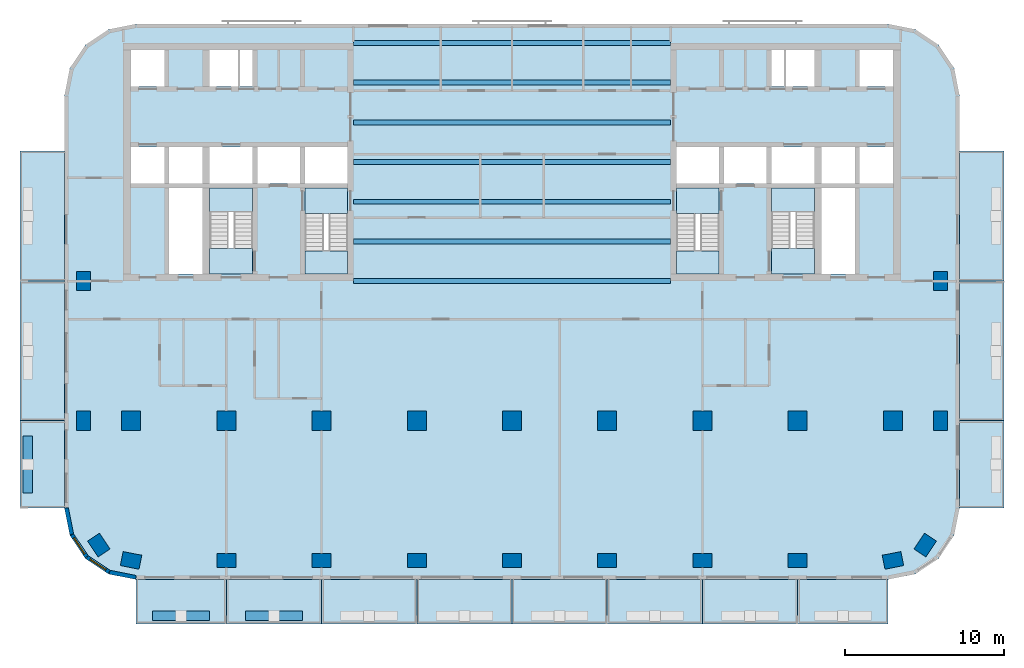
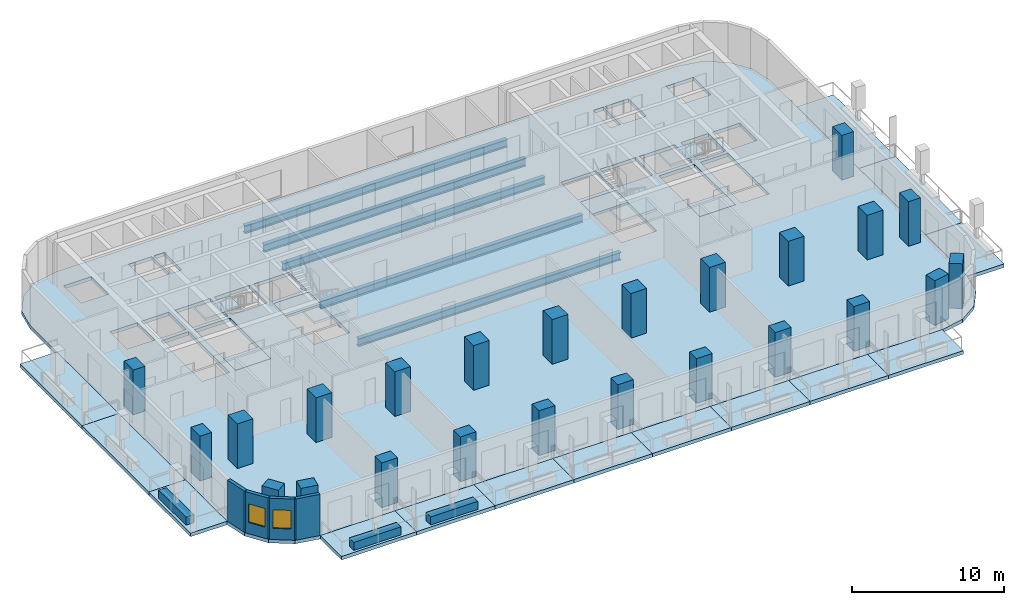
# One storey, part 1 of 11: 24 columns, 23 slabs, 7 beams, 7 walls, 2 windows, 2 openings, 4 elements without a shape of their own.
"""IFC4 building model written with IfcOpenShell, lengths in metres."""

import ifcopenshell
import ifcopenshell.guid

model = None  # the IFC model being written
_history = None  # IfcOwnerHistory: only IFC2X3 demands one
_inside = {}  # id of a spatial element -> (the spatial element, [elements in it])
_under = {}  # id of a project, library or spatial element -> (it, [spatial elements below it])
_declared = {}  # id of a project -> (the project, [libraries it declares])
_typed = {}  # id of a type object -> (the type object, [elements of that type])
_made_of = {}  # id of a material, layer set ... -> (it, [elements and type objects made of it])


def new_model(schema):
    """Start an empty IFC model of exactly this schema.

    Asked for "IFC4X3", IfcOpenShell would pick the latest addendum, in which some entities
    have other attributes; the version numbers below select the first issue.
    IFC2X3 requires an IfcOwnerHistory on every rooted entity: one is made here for all.
    """
    global model, _history
    if schema == "IFC4X3":
        model = ifcopenshell.file(schema_version=(4, 3, 0, 0))
    else:
        model = ifcopenshell.file(schema=schema)
    _inside.clear()
    _under.clear()
    _declared.clear()
    _typed.clear()
    _made_of.clear()
    _history = None
    if model.schema == "IFC2X3":
        org = make("IfcOrganization", Name="unknown")
        user = make(
            "IfcPersonAndOrganization",
            ThePerson=make("IfcPerson", FamilyName="unknown"),
            TheOrganization=org,
        )
        app = make(
            "IfcApplication",
            ApplicationDeveloper=org,
            Version="unknown",
            ApplicationFullName="unknown",
            ApplicationIdentifier="unknown",
        )
        _history = make(
            "IfcOwnerHistory",
            OwningUser=user,
            OwningApplication=app,
            ChangeAction="ADDED",
            CreationDate=0,
        )
    return model


def make(cls, **values):
    """One entity of the class cls with the attributes given. An attribute that is None is left unset."""
    return model.create_entity(
        cls, **{name: value for name, value in values.items() if value is not None}
    )


def rooted(cls, **values):
    """An entity with a GlobalId (a new one), such as an element, a storey or a relation."""
    return make(cls, GlobalId=ifcopenshell.guid.new(), OwnerHistory=_history, **values)


def si_unit(unit_type, name, prefix=None):
    """IfcSIUnit, for example si_unit("LENGTHUNIT", "METRE", prefix="MILLI")."""
    return make("IfcSIUnit", UnitType=unit_type, Prefix=prefix, Name=name)


def assignment(units):
    """IfcUnitAssignment: the units of a project."""
    return None if units is None else make("IfcUnitAssignment", Units=units)


def point(xyz):
    """IfcCartesianPoint."""
    return None if xyz is None else make("IfcCartesianPoint", Coordinates=xyz)


def direction(xyz):
    """IfcDirection."""
    return None if xyz is None else make("IfcDirection", DirectionRatios=xyz)


def frame(location, z_axis=None, x_axis=None):
    """IfcAxis2Placement3D, a coordinate frame: its origin and axes. An axis left out is left unset."""
    return make(
        "IfcAxis2Placement3D",
        Location=point(location),
        Axis=direction(z_axis),
        RefDirection=direction(x_axis),
    )


def frame_2d(location, x_axis=None):
    """IfcAxis2Placement2D, a coordinate frame in the plane: its origin and x axis."""
    return make(
        "IfcAxis2Placement2D", Location=point(location), RefDirection=direction(x_axis)
    )


def origin():
    """The frame at (0, 0, 0) with its axes left unset."""
    return frame((0.0, 0.0, 0.0))


def origin_2d():
    """The frame at (0, 0) in the plane with its x axis left unset."""
    return frame_2d((0.0, 0.0))


def place(relative_to, where):
    """IfcLocalPlacement: puts the frame where relative to a parent placement (None: the world)."""
    return make(
        "IfcLocalPlacement", PlacementRelTo=relative_to, RelativePlacement=where
    )


def context(
    kind, dimensions, precision=None, world=None, true_north=None, identifier=None
):
    """IfcGeometricRepresentationContext, for example the 3D "Model" context."""
    return make(
        "IfcGeometricRepresentationContext",
        ContextIdentifier=identifier,
        ContextType=kind,
        CoordinateSpaceDimension=dimensions,
        Precision=precision,
        WorldCoordinateSystem=world,
        TrueNorth=true_north,
    )


def subcontext(parent, identifier, kind, view, scale=None):
    """IfcGeometricRepresentationSubContext, for example "Body" below "Model"."""
    return make(
        "IfcGeometricRepresentationSubContext",
        ContextIdentifier=identifier,
        ContextType=kind,
        ParentContext=parent,
        TargetScale=scale,
        TargetView=view,
    )


def project(units=None, contexts=None):
    """IfcProject with its units and contexts."""
    return rooted(
        "IfcProject",
        Name="project",
        RepresentationContexts=contexts,
        UnitsInContext=assignment(units),
    )


def spatial(cls, under=None, at=None, **own):
    """A site, building, storey or space (cls), placed at a placement, below another one or the project."""
    s = rooted(cls, ObjectPlacement=at, **own)
    if under is not None:
        _under.setdefault(under.id(), (under, []))[1].append(s)
    return s


def polyline(points):
    """IfcPolyline through the points."""
    return make("IfcPolyline", Points=[point(p) for p in points])


def profile(cls, at=None, kind="AREA", **sizes):
    """A parametric profile (cls). Its sizes go by their IFC names, for example OverallWidth=200.0."""
    return make(cls, ProfileType=kind, Position=at, **sizes)


def rectangle(**sizes):
    """IfcRectangleProfileDef."""
    return profile("IfcRectangleProfileDef", **sizes)


def i_section(**sizes):
    """IfcIShapeProfileDef."""
    return profile("IfcIShapeProfileDef", **sizes)


def outline(outer, holes=None, kind="AREA"):
    """IfcArbitraryClosedProfileDef: a profile drawn as a closed curve; with holes, ...WithVoids."""
    if holes is None:
        return make("IfcArbitraryClosedProfileDef", ProfileType=kind, OuterCurve=outer)
    return make(
        "IfcArbitraryProfileDefWithVoids",
        ProfileType=kind,
        OuterCurve=outer,
        InnerCurves=holes,
    )


def extrude(swept, where, along, depth):
    """IfcExtrudedAreaSolid: the profile swept, set in the frame where, extruded along a direction by depth."""
    return make(
        "IfcExtrudedAreaSolid",
        SweptArea=swept,
        Position=where,
        ExtrudedDirection=direction(along),
        Depth=depth,
    )


def shape(context_of_items, identifier, shape_type, items):
    """IfcShapeRepresentation: the items that make up one representation, for example the "Body"."""
    return make(
        "IfcShapeRepresentation",
        ContextOfItems=context_of_items,
        RepresentationIdentifier=identifier,
        RepresentationType=shape_type,
        Items=items,
    )


def material(Name=None, Category=None):
    """IfcMaterial."""
    return make("IfcMaterial", Name=Name, Category=Category)


def layer(
    of_material, thickness, ventilated=None, Name=None, Category=None, Priority=None
):
    """IfcMaterialLayer: one layer of a wall or slab, of a material (None: an air gap)."""
    return make(
        "IfcMaterialLayer",
        Material=of_material,
        LayerThickness=thickness,
        IsVentilated=ventilated,
        Name=Name,
        Category=Category,
        Priority=Priority,
    )


def layer_set(layers, Name=None):
    """IfcMaterialLayerSet."""
    return make("IfcMaterialLayerSet", MaterialLayers=layers, LayerSetName=Name)


def material_profile(
    of_material, cross_section, Name=None, Category=None, Priority=None
):
    """IfcMaterialProfile: a cross section and its material."""
    return make(
        "IfcMaterialProfile",
        Name=Name,
        Material=of_material,
        Profile=cross_section,
        Priority=Priority,
        Category=Category,
    )


def profile_set(profiles, Name=None, composite=None):
    """IfcMaterialProfileSet."""
    return make(
        "IfcMaterialProfileSet",
        Name=Name,
        MaterialProfiles=profiles,
        CompositeProfile=composite,
    )


def made_of(thing, what):
    """Note that an element or type object is made of a material, layer set ...; save() writes the relation."""
    if what is not None:
        _made_of.setdefault(what.id(), (what, []))[1].append(thing)
    return thing


def type_object(cls, material=None, **own):
    """A type object (cls), such as IfcWallType, which elements share."""
    return made_of(rooted(cls, **own), material)


def element(
    cls,
    number,
    at=None,
    inside=None,
    cuts=None,
    type_object=None,
    material=None,
    context=None,
    identifier="Body",
    shape_type=None,
    held_by="IfcProductDefinitionShape",
    body=None,
    shapes=None,
    **own,
):
    """One element of the class cls, such as IfcWall. Its Tag is "e" and its number.

    at: its placement. inside: the storey or other place that contains it. cuts: it is an
    opening in that element (IfcRelVoidsElement). A single representation is given by context,
    identifier, shape_type and body (its items); several are given by shapes. held_by: the class
    of the entity that holds the representations. save() writes the other relations.
    """
    e = rooted(cls, Tag="e%d" % number, ObjectPlacement=at, **own)
    if body is not None:
        shapes = [shape(context, identifier, shape_type, body)]
    if shapes is not None:
        e.Representation = make(held_by, Representations=shapes)
    if inside is not None:
        _inside.setdefault(inside.id(), (inside, []))[1].append(e)
    if cuts is not None:
        rooted(
            "IfcRelVoidsElement", RelatingBuildingElement=cuts, RelatedOpeningElement=e
        )
    if type_object is not None:
        _typed.setdefault(type_object.id(), (type_object, []))[1].append(e)
    return made_of(e, material)


def fill(opening, filler):
    """IfcRelFillsElement: the door or window that sits in an opening."""
    return rooted(
        "IfcRelFillsElement",
        RelatingOpeningElement=opening,
        RelatedBuildingElement=filler,
    )


def aggregate(whole, parts):
    """IfcRelAggregates: a whole, such as a stair, and the parts it consists of."""
    return rooted("IfcRelAggregates", RelatingObject=whole, RelatedObjects=parts)


def save(model, path):
    """Write the relations noted so far, then the file.

    IfcRelAggregates (storeys below a building ...), IfcRelContainedInSpatialStructure (elements
    in a storey), IfcRelDefinesByType, IfcRelAssociatesMaterial and IfcRelDeclares: one each for
    every whole, place, type object, material and project.
    """
    for whole, parts in _under.values():
        aggregate(whole, parts)
    for where, things in _inside.values():
        rooted(
            "IfcRelContainedInSpatialStructure",
            RelatedElements=things,
            RelatingStructure=where,
        )
    for kind, things in _typed.values():
        rooted("IfcRelDefinesByType", RelatedObjects=things, RelatingType=kind)
    for what, things in _made_of.values():
        rooted("IfcRelAssociatesMaterial", RelatedObjects=things, RelatingMaterial=what)
    for by, libraries in _declared.values():
        rooted("IfcRelDeclares", RelatingContext=by, RelatedDefinitions=libraries)
    model.write(path)


model = new_model("IFC4")

# Units and contexts
model_context = context("Model", 3, precision=1e-05, world=origin(), true_north=direction((0.0, 1.0)))
body_context = subcontext(model_context, "Body", "Model", "MODEL_VIEW")
ifc_project = project(units=[si_unit("LENGTHUNIT", "METRE"), si_unit("AREAUNIT", "SQUARE_METRE"), si_unit("VOLUMEUNIT", "CUBIC_METRE"), si_unit("PLANEANGLEUNIT", "RADIAN"), si_unit("MASSUNIT", "GRAM", prefix="KILO")], contexts=[model_context])

# Site, building, storey
site_placement = place(None, origin())
site = spatial("IfcSite", under=ifc_project, at=site_placement, CompositionType="ELEMENT")
building_placement = place(site_placement, origin())
building = spatial("IfcBuilding", under=site, at=building_placement, Name="Torana Hotel and Residences", CompositionType="ELEMENT")
storey_placement = place(building_placement, frame((0.0, 0.0, 170.39990234375)))
storey = spatial("IfcBuildingStorey", under=building, at=storey_placement, Name="L44", CompositionType="ELEMENT", Elevation=170.39990234375)

# Columns
ifc_material_1 = material(Name="Concrete C70/85", Category="concrete")
ifc_material_profile_1 = material_profile(ifc_material_1, rectangle(XDim=1.199951171875, YDim=1.199951171875, at=origin_2d()), Name="RC 1200x1200")
ifc_profile_set_1 = profile_set([ifc_material_profile_1], Name="Concrete C70/85")
column_type_1 = type_object("IfcColumnType", Name="COLUMN RC 1200x1200 C70/85", PredefinedType="COLUMN", material=ifc_profile_set_1)
for number, where, z_axis, x_axis, name in (
    (1, (-24.0, -23.800048828125, 0.0), (0.0, 0.0, 1.0), (1.0, 0.0, 0.0), "Column L44"),
    (2, (-18.0, -23.800048828125, 0.0), (0.0, 0.0, 1.0), (1.0, 0.0, 0.0), "Column L44"),
    (3, (-12.0, -23.800048828125, 0.0), (0.0, 0.0, 1.0), (1.0, 0.0, 0.0), "Column L44"),
    (4, (-6.0, -23.800048828125, 0.0), (0.0, 0.0, 1.0), (1.0, 0.0, 0.0), "Column L44"),
    (5, (0.0, -23.800048828125, 0.0), (0.0, 0.0, 1.0), (1.0, 0.0, 0.0), "Column L44"),
    (6, (6.0, -23.800048828125, 0.0), (0.0, 0.0, 1.0), (1.0, 0.0, 0.0), "Column L44"),
    (7, (12.0, -23.800048828125, 0.0), (0.0, 0.0, 1.0), (1.0, 0.0, 0.0), "Column L44"),
    (8, (18.0, -23.800048828125, 0.0), (0.0, 0.0, 1.0), (1.0, 0.0, 0.0), "Column L44"),
    (9, (24.0, -23.800048828125, 0.0), (0.0, 0.0, 1.0), (1.0, 0.0, 0.0), "Column L44"),
):
    element("IfcColumn", number, at=place(storey_placement, frame(where, z_axis=z_axis, x_axis=x_axis)), inside=storey, type_object=column_type_1, Name=name, PredefinedType="COLUMN", context=body_context, shape_type="SweptSolid", body=[
        extrude(rectangle(XDim=1.199951171875, YDim=1.199951171875, at=origin_2d()), origin(), (0.0, 0.0, 1.0), 3.60009765625),
    ])
ifc_material_2 = material(Name="Concrete C70/85", Category="concrete")
ifc_material_profile_2 = material_profile(ifc_material_2, rectangle(XDim=1.199951171875, YDim=0.89990234375, at=origin_2d()), Name="RC 1200x900")
ifc_profile_set_2 = profile_set([ifc_material_profile_2], Name="Concrete C70/85")
column_type_2 = type_object("IfcColumnType", Name="COLUMN RC 1200x900 C70/85", PredefinedType="COLUMN", material=ifc_profile_set_2)
for number, where, z_axis, x_axis, name in (
    (10, (-27.0, -23.800048828125, 0.0), (0.0, 0.0, 1.0), (0.0, 1.0, 0.0), "Column L44"),
    (11, (-27.0, -15.0, 0.0), (0.0, 0.0, 1.0), (0.0, 1.0, 0.0), "Column L44"),
    (12, (-26.032958984375, -31.633056640625, 0.0), (0.0, 0.0, 1.0), (-0.555584744817, 0.831459915646, 0.0), "Column L44"),
    (13, (-24.0, -32.60009765625, 0.0), (0.0, 0.0, 1.0), (-0.980792089743, 0.195056086032, 0.0), "Column L44"),
    (14, (-18.0, -32.60009765625, 0.0), (0.0, 0.0, 1.0), (1.0, 0.0, 0.0), "Column L44"),
    (15, (-12.0, -32.60009765625, 0.0), (0.0, 0.0, 1.0), (1.0, 0.0, 0.0), "Column L44"),
    (16, (-6.0, -32.60009765625, 0.0), (0.0, 0.0, 1.0), (1.0, 0.0, 0.0), "Column L44"),
    (17, (0.0, -32.60009765625, 0.0), (0.0, 0.0, 1.0), (1.0, 0.0, 0.0), "Column L44"),
    (18, (6.0, -32.60009765625, 0.0), (0.0, 0.0, 1.0), (1.0, 0.0, 0.0), "Column L44"),
    (19, (12.0, -32.60009765625, 0.0), (0.0, 0.0, 1.0), (1.0, 0.0, 0.0), "Column L44"),
    (20, (18.0, -32.60009765625, 0.0), (0.0, 0.0, 1.0), (1.0, 0.0, 0.0), "Column L44"),
    (21, (24.0, -32.60009765625, 0.0), (0.0, 0.0, 1.0), (0.980792089743, 0.195056086032, 0.0), "Column L44"),
    (22, (26.032958984375, -31.633056640625, 0.0), (0.0, 0.0, 1.0), (0.555584744817, 0.831459915646, 0.0), "Column L44"),
    (23, (27.0, -23.800048828125, 0.0), (0.0, 0.0, 1.0), (0.0, 1.0, 0.0), "Column L44"),
    (24, (27.0, -15.0, 0.0), (0.0, 0.0, 1.0), (0.0, 1.0, 0.0), "Column L44"),
):
    element("IfcColumn", number, at=place(storey_placement, frame(where, z_axis=z_axis, x_axis=x_axis)), inside=storey, type_object=column_type_2, Name=name, PredefinedType="COLUMN", context=body_context, shape_type="SweptSolid", body=[
        extrude(rectangle(XDim=1.199951171875, YDim=0.89990234375, at=origin_2d()), origin(), (0.0, 0.0, 1.0), 3.60009765625),
    ])

# Beams
ifc_material_3 = material(Name="Steel S355", Category="steel")
ifc_material_profile_3 = material_profile(ifc_material_3, i_section(OverallWidth=0.311279296875, OverallDepth=0.6357421875, WebThickness=0.018310546875, FlangeThickness=0.031494140625, FilletRadius=0.0166015625, at=origin_2d()), Name="610x305x238 UB")
ifc_profile_set_3 = profile_set([ifc_material_profile_3], Name="Steel S355")
beam_type = type_object("IfcBeamType", Name="STEEL GIRDER 610x305x238 UB", PredefinedType="BEAM", material=ifc_profile_set_3)
for number, where, z_axis, x_axis, name in (
    (25, (-10.0, -15.0, -0.597900390625), (1.0, 0.0, 0.0), (0.0, 1.0, 0.0), "Floor girder"),
    (26, (-10.0, -12.5, -0.597900390625), (1.0, 0.0, 0.0), (0.0, 1.0, 0.0), "Floor girder"),
    (27, (-10.0, -10.0, -0.597900390625), (1.0, 0.0, 0.0), (0.0, 1.0, 0.0), "Floor girder"),
    (28, (-10.0, -7.5, -0.597900390625), (1.0, 0.0, 0.0), (0.0, 1.0, 0.0), "Floor girder"),
    (29, (-10.0, -5.0, -0.597900390625), (1.0, 0.0, 0.0), (0.0, 1.0, 0.0), "Floor girder"),
    (30, (-10.0, -2.5, -0.597900390625), (1.0, 0.0, 0.0), (0.0, 1.0, 0.0), "Floor girder"),
    (31, (-10.0, 0.0, -0.597900390625), (1.0, 0.0, 0.0), (0.0, 1.0, 0.0), "Floor girder"),
):
    element("IfcBeam", number, at=place(storey_placement, frame(where, z_axis=z_axis, x_axis=x_axis)), inside=storey, type_object=beam_type, Name=name, PredefinedType="BEAM", context=body_context, shape_type="SweptSolid", body=[
        extrude(i_section(OverallWidth=0.311279296875, OverallDepth=0.6357421875, WebThickness=0.018310546875, FlangeThickness=0.031494140625, FilletRadius=0.0166015625, at=origin_2d()), origin(), (0.0, 0.0, 1.0), 20.0),
    ])

# Slabs
ifc_material_4 = material(Name="Concrete C40/50", Category="concrete")
ifc_layer_1 = layer(ifc_material_4, 0.280029296875)
ifc_layer_set_1 = layer_set([ifc_layer_1], Name="BAL1 BALCONY SLAB 280")
slab_type_1 = type_object("IfcSlabType", Name="BAL1 BALCONY SLAB 280", PredefinedType="USERDEFINED", material=ifc_layer_set_1)
slab_1_placement = place(storey_placement, frame((0.0, 0.0, -0.27978515625)))
element("IfcSlab", 32, at=slab_1_placement, inside=storey, type_object=slab_type_1, Name="Balcony 01", ObjectType="BALCONY", PredefinedType="USERDEFINED", context=body_context, shape_type="SweptSolid", body=[
    extrude(outline(polyline([(-23.699951171875, -36.60009765625), (-18.0, -36.60009765625), (-18.0, -33.800048828125), (-23.699951171875, -33.800048828125), (-23.699951171875, -36.60009765625)])), origin(), (0.0, 0.0, 1.0), 0.27978515625),
])
slab_2_placement = place(storey_placement, frame((0.0, 0.0, -0.27978515625)))
element("IfcSlab", 33, at=slab_2_placement, inside=storey, type_object=slab_type_1, Name="Balcony 02", ObjectType="BALCONY", PredefinedType="USERDEFINED", context=body_context, shape_type="SweptSolid", body=[
    extrude(outline(polyline([(-18.0, -36.60009765625), (-12.0, -36.60009765625), (-12.0, -33.800048828125), (-18.0, -33.800048828125), (-18.0, -36.60009765625)])), origin(), (0.0, 0.0, 1.0), 0.27978515625),
])
slab_3_placement = place(storey_placement, frame((0.0, 0.0, -0.27978515625)))
element("IfcSlab", 34, at=slab_3_placement, inside=storey, type_object=slab_type_1, Name="Balcony 03", ObjectType="BALCONY", PredefinedType="USERDEFINED", context=body_context, shape_type="SweptSolid", body=[
    extrude(outline(polyline([(-12.0, -36.60009765625), (-6.0, -36.60009765625), (-6.0, -33.800048828125), (-12.0, -33.800048828125), (-12.0, -36.60009765625)])), origin(), (0.0, 0.0, 1.0), 0.27978515625),
])
slab_4_placement = place(storey_placement, frame((0.0, 0.0, -0.27978515625)))
element("IfcSlab", 35, at=slab_4_placement, inside=storey, type_object=slab_type_1, Name="Balcony 04", ObjectType="BALCONY", PredefinedType="USERDEFINED", context=body_context, shape_type="SweptSolid", body=[
    extrude(outline(polyline([(-6.0, -36.60009765625), (0.0, -36.60009765625), (0.0, -33.800048828125), (-6.0, -33.800048828125), (-6.0, -36.60009765625)])), origin(), (0.0, 0.0, 1.0), 0.27978515625),
])
slab_5_placement = place(storey_placement, frame((0.0, 0.0, -0.27978515625)))
element("IfcSlab", 36, at=slab_5_placement, inside=storey, type_object=slab_type_1, Name="Balcony 05", ObjectType="BALCONY", PredefinedType="USERDEFINED", context=body_context, shape_type="SweptSolid", body=[
    extrude(outline(polyline([(0.0, -36.60009765625), (6.0, -36.60009765625), (6.0, -33.800048828125), (0.0, -33.800048828125), (0.0, -36.60009765625)])), origin(), (0.0, 0.0, 1.0), 0.27978515625),
])
slab_6_placement = place(storey_placement, frame((0.0, 0.0, -0.27978515625)))
element("IfcSlab", 37, at=slab_6_placement, inside=storey, type_object=slab_type_1, Name="Balcony 06", ObjectType="BALCONY", PredefinedType="USERDEFINED", context=body_context, shape_type="SweptSolid", body=[
    extrude(outline(polyline([(6.0, -36.60009765625), (12.0, -36.60009765625), (12.0, -33.800048828125), (6.0, -33.800048828125), (6.0, -36.60009765625)])), origin(), (0.0, 0.0, 1.0), 0.27978515625),
])
slab_7_placement = place(storey_placement, frame((0.0, 0.0, -0.27978515625)))
element("IfcSlab", 38, at=slab_7_placement, inside=storey, type_object=slab_type_1, Name="Balcony 07", ObjectType="BALCONY", PredefinedType="USERDEFINED", context=body_context, shape_type="SweptSolid", body=[
    extrude(outline(polyline([(12.0, -36.60009765625), (18.0, -36.60009765625), (18.0, -33.800048828125), (12.0, -33.800048828125), (12.0, -36.60009765625)])), origin(), (0.0, 0.0, 1.0), 0.27978515625),
])
slab_8_placement = place(storey_placement, frame((0.0, 0.0, -0.27978515625)))
element("IfcSlab", 39, at=slab_8_placement, inside=storey, type_object=slab_type_1, Name="Balcony 08", ObjectType="BALCONY", PredefinedType="USERDEFINED", context=body_context, shape_type="SweptSolid", body=[
    extrude(outline(polyline([(18.0, -36.60009765625), (23.699951171875, -36.60009765625), (23.699951171875, -33.800048828125), (18.0, -33.800048828125), (18.0, -36.60009765625)])), origin(), (0.0, 0.0, 1.0), 0.27978515625),
])
slab_9_placement = place(storey_placement, frame((0.0, 0.0, -0.27978515625)))
element("IfcSlab", 40, at=slab_9_placement, inside=storey, type_object=slab_type_1, Name="Balcony 09", ObjectType="BALCONY", PredefinedType="USERDEFINED", context=body_context, shape_type="SweptSolid", body=[
    extrude(outline(polyline([(-31.0, -29.300048828125), (-28.199951171875, -29.300048828125), (-28.199951171875, -23.800048828125), (-31.0, -23.800048828125), (-31.0, -29.300048828125)])), origin(), (0.0, 0.0, 1.0), 0.27978515625),
])
slab_10_placement = place(storey_placement, frame((0.0, 0.0, -0.27978515625)))
element("IfcSlab", 41, at=slab_10_placement, inside=storey, type_object=slab_type_1, Name="Balcony 10", ObjectType="BALCONY", PredefinedType="USERDEFINED", context=body_context, shape_type="SweptSolid", body=[
    extrude(outline(polyline([(-31.0, -23.800048828125), (-28.199951171875, -23.800048828125), (-28.199951171875, -15.0), (-31.0, -15.0), (-31.0, -23.800048828125)])), origin(), (0.0, 0.0, 1.0), 0.27978515625),
])
slab_11_placement = place(storey_placement, frame((0.0, 0.0, -0.27978515625)))
element("IfcSlab", 42, at=slab_11_placement, inside=storey, type_object=slab_type_1, Name="Balcony 11", ObjectType="BALCONY", PredefinedType="USERDEFINED", context=body_context, shape_type="SweptSolid", body=[
    extrude(outline(polyline([(-31.0, -15.0), (-28.199951171875, -15.0), (-28.199951171875, -6.800048828125), (-31.0, -6.800048828125), (-31.0, -15.0)])), origin(), (0.0, 0.0, 1.0), 0.27978515625),
])
slab_12_placement = place(storey_placement, frame((0.0, 0.0, -0.27978515625)))
element("IfcSlab", 43, at=slab_12_placement, inside=storey, type_object=slab_type_1, Name="Balcony 12", ObjectType="BALCONY", PredefinedType="USERDEFINED", context=body_context, shape_type="SweptSolid", body=[
    extrude(outline(polyline([(28.199951171875, -29.300048828125), (31.0, -29.300048828125), (31.0, -23.800048828125), (28.199951171875, -23.800048828125), (28.199951171875, -29.300048828125)])), origin(), (0.0, 0.0, 1.0), 0.27978515625),
])
slab_13_placement = place(storey_placement, frame((0.0, 0.0, -0.27978515625)))
element("IfcSlab", 44, at=slab_13_placement, inside=storey, type_object=slab_type_1, Name="Balcony 13", ObjectType="BALCONY", PredefinedType="USERDEFINED", context=body_context, shape_type="SweptSolid", body=[
    extrude(outline(polyline([(28.199951171875, -23.800048828125), (31.0, -23.800048828125), (31.0, -15.0), (28.199951171875, -15.0), (28.199951171875, -23.800048828125)])), origin(), (0.0, 0.0, 1.0), 0.27978515625),
])
slab_14_placement = place(storey_placement, frame((0.0, 0.0, -0.27978515625)))
element("IfcSlab", 45, at=slab_14_placement, inside=storey, type_object=slab_type_1, Name="Balcony 14", ObjectType="BALCONY", PredefinedType="USERDEFINED", context=body_context, shape_type="SweptSolid", body=[
    extrude(outline(polyline([(28.199951171875, -15.0), (31.0, -15.0), (31.0, -6.800048828125), (28.199951171875, -6.800048828125), (28.199951171875, -15.0)])), origin(), (0.0, 0.0, 1.0), 0.27978515625),
])
ifc_material_5 = material(Name="Concrete C40/50", Category="concrete")
ifc_layer_2 = layer(ifc_material_5, 0.280029296875)
ifc_layer_set_2 = layer_set([ifc_layer_2], Name="FLOOR SLAB PT 280")
slab_type_2 = type_object("IfcSlabType", Name="FLOOR SLAB PT 280", PredefinedType="FLOOR", material=ifc_layer_set_2)
slab_15_placement = place(storey_placement, frame((0.0, 0.0, -0.27978515625)))
element("IfcSlab", 46, at=slab_15_placement, inside=storey, type_object=slab_type_2, Name="Floor slab", PredefinedType="FLOOR", context=body_context, shape_type="SweptSolid", body=[
    extrude(outline(polyline([(28.199951171875, -3.300048828125), (27.857421875, -1.577880859375), (26.882080078125, -0.117919921875), (25.422119140625, 0.857421875), (23.699951171875, 1.199951171875), (-23.699951171875, 1.199951171875), (-25.422119140625, 0.857421875), (-26.882080078125, -0.117919921875), (-27.857421875, -1.577880859375), (-28.199951171875, -3.300048828125), (-28.199951171875, -29.300048828125), (-27.857421875, -31.022216796875), (-26.882080078125, -32.48193359375), (-25.422119140625, -33.45751953125), (-23.699951171875, -33.800048828125), (23.699951171875, -33.800048828125), (25.422119140625, -33.45751953125), (26.882080078125, -32.48193359375), (27.857421875, -31.022216796875), (28.199951171875, -29.300048828125), (28.199951171875, -3.300048828125)]), holes=[polyline([(-13.050048828125, -14.550048828125), (-10.35009765625, -14.550048828125), (-10.35009765625, -9.14990234375), (-13.050048828125, -9.14990234375), (-13.050048828125, -14.550048828125)]), polyline([(-19.050048828125, -14.550048828125), (-16.35009765625, -14.550048828125), (-16.35009765625, -9.14990234375), (-19.050048828125, -9.14990234375), (-19.050048828125, -14.550048828125)]), polyline([(-17.125, -2.75), (-16.35009765625, -2.75), (-16.35009765625, -0.449951171875), (-17.125, -0.449951171875), (-17.125, -2.75)]), polyline([(-19.050048828125, -2.75), (-17.27490234375, -2.75), (-17.27490234375, -0.449951171875), (-19.050048828125, -0.449951171875), (-19.050048828125, -2.75)]), polyline([(-21.60009765625, -8.85009765625), (-19.5, -8.85009765625), (-19.5, -6.550048828125), (-21.60009765625, -6.550048828125), (-21.60009765625, -8.85009765625)]), polyline([(-24.0, -2.75), (-21.89990234375, -2.75), (-21.89990234375, -0.449951171875), (-24.0, -0.449951171875), (-24.0, -2.75)]), polyline([(-24.0, -8.85009765625), (-21.89990234375, -8.85009765625), (-21.89990234375, -6.550048828125), (-24.0, -6.550048828125), (-24.0, -8.85009765625)]), polyline([(-13.050048828125, -8.85009765625), (-10.35009765625, -8.85009765625), (-10.35009765625, -6.550048828125), (-13.050048828125, -6.550048828125), (-13.050048828125, -8.85009765625)]), polyline([(-16.050048828125, -8.85009765625), (-13.35009765625, -8.85009765625), (-13.35009765625, -6.550048828125), (-16.050048828125, -6.550048828125), (-16.050048828125, -8.85009765625)]), polyline([(-19.050048828125, -8.85009765625), (-16.35009765625, -8.85009765625), (-16.35009765625, -6.550048828125), (-19.050048828125, -6.550048828125), (-19.050048828125, -8.85009765625)]), polyline([(-21.60009765625, -14.550048828125), (-19.5, -14.550048828125), (-19.5, -9.14990234375), (-21.60009765625, -9.14990234375), (-21.60009765625, -14.550048828125)]), polyline([(10.35009765625, -14.550048828125), (13.050048828125, -14.550048828125), (13.050048828125, -9.14990234375), (10.35009765625, -9.14990234375), (10.35009765625, -14.550048828125)]), polyline([(16.35009765625, -14.550048828125), (19.050048828125, -14.550048828125), (19.050048828125, -9.14990234375), (16.35009765625, -9.14990234375), (16.35009765625, -14.550048828125)]), polyline([(16.35009765625, -2.75), (17.125, -2.75), (17.125, -0.449951171875), (16.35009765625, -0.449951171875), (16.35009765625, -2.75)]), polyline([(17.27490234375, -2.75), (19.050048828125, -2.75), (19.050048828125, -0.449951171875), (17.27490234375, -0.449951171875), (17.27490234375, -2.75)]), polyline([(19.5, -8.85009765625), (21.60009765625, -8.85009765625), (21.60009765625, -6.550048828125), (19.5, -6.550048828125), (19.5, -8.85009765625)]), polyline([(21.89990234375, -2.75), (24.0, -2.75), (24.0, -0.449951171875), (21.89990234375, -0.449951171875), (21.89990234375, -2.75)]), polyline([(21.89990234375, -8.85009765625), (24.0, -8.85009765625), (24.0, -6.550048828125), (21.89990234375, -6.550048828125), (21.89990234375, -8.85009765625)]), polyline([(10.35009765625, -8.85009765625), (13.050048828125, -8.85009765625), (13.050048828125, -6.550048828125), (10.35009765625, -6.550048828125), (10.35009765625, -8.85009765625)]), polyline([(13.35009765625, -8.85009765625), (16.050048828125, -8.85009765625), (16.050048828125, -6.550048828125), (13.35009765625, -6.550048828125), (13.35009765625, -8.85009765625)]), polyline([(16.35009765625, -8.85009765625), (19.050048828125, -8.85009765625), (19.050048828125, -6.550048828125), (16.35009765625, -6.550048828125), (16.35009765625, -8.85009765625)]), polyline([(19.5, -14.550048828125), (21.60009765625, -14.550048828125), (21.60009765625, -9.14990234375), (19.5, -9.14990234375), (19.5, -14.550048828125)])]), origin(), (0.0, 0.0, 1.0), 0.27978515625),
])

# Stair, slabs
ifc_material_6 = material(Name="Concrete C40/50 precast", Category="concrete")
stair_type_1 = type_object("IfcStairType", Name="STAIR ST1 HALF TURN 1200", PredefinedType="HALF_TURN_STAIR", material=ifc_material_6)
stair_1_placement = place(storey_placement, origin())
stair_1 = element("IfcStair", 47, at=stair_1_placement, inside=storey, type_object=stair_type_1, Name="Stair ST1 L44", PredefinedType="HALF_TURN_STAIR")
ifc_material_7 = material(Name="Concrete C40/50 precast", Category="concrete")
ifc_layer_3 = layer(ifc_material_7, 0.199951171875)
ifc_layer_set_3 = layer_set([ifc_layer_3], Name="STAIR LANDING 200")
slab_type_3 = type_object("IfcSlabType", Name="STAIR LANDING 200", PredefinedType="LANDING", material=ifc_layer_set_3)
slab_16_placement = place(storey_placement, frame((0.0, 0.0, 1.60009765625)))
slab_16 = element("IfcSlab", 48, at=slab_16_placement, type_object=slab_type_3, Name="ST1 landing 1", PredefinedType="LANDING", context=body_context, shape_type="SweptSolid", body=[
    extrude(outline(polyline([(-13.050048828125, -14.550048828125), (-10.35009765625, -14.550048828125), (-10.35009765625, -13.090087890625), (-13.050048828125, -13.090087890625), (-13.050048828125, -14.550048828125)])), origin(), (0.0, 0.0, 1.0), 0.199951171875),
])
slab_17_placement = place(storey_placement, frame((0.0, 0.0, -0.199951171875)))
slab_17 = element("IfcSlab", 49, at=slab_17_placement, type_object=slab_type_3, Name="ST1 landing 2", PredefinedType="LANDING", context=body_context, shape_type="SweptSolid", body=[
    extrude(outline(polyline([(-13.050048828125, -10.75), (-10.35009765625, -10.75), (-10.35009765625, -9.14990234375), (-13.050048828125, -9.14990234375), (-13.050048828125, -10.75)])), origin(), (0.0, 0.0, 1.0), 0.199951171875),
])
aggregate(stair_1, [slab_16, slab_17])

ifc_material_8 = material(Name="Concrete C40/50 precast", Category="concrete")
stair_type_2 = type_object("IfcStairType", Name="STAIR ST2 HALF TURN 1200", PredefinedType="HALF_TURN_STAIR", material=ifc_material_8)
stair_2_placement = place(storey_placement, origin())
stair_2 = element("IfcStair", 50, at=stair_2_placement, inside=storey, type_object=stair_type_2, Name="Stair ST2 L44", PredefinedType="HALF_TURN_STAIR")
slab_18_placement = place(storey_placement, frame((0.0, 0.0, 1.60009765625)))
slab_18 = element("IfcSlab", 51, at=slab_18_placement, type_object=slab_type_3, Name="ST2 landing 1", PredefinedType="LANDING", context=body_context, shape_type="SweptSolid", body=[
    extrude(outline(polyline([(-19.050048828125, -10.610107421875), (-16.35009765625, -10.610107421875), (-16.35009765625, -9.14990234375), (-19.050048828125, -9.14990234375), (-19.050048828125, -10.610107421875)])), origin(), (0.0, 0.0, 1.0), 0.199951171875),
])
slab_19_placement = place(storey_placement, frame((0.0, 0.0, -0.199951171875)))
slab_19 = element("IfcSlab", 52, at=slab_19_placement, type_object=slab_type_3, Name="ST2 landing 2", PredefinedType="LANDING", context=body_context, shape_type="SweptSolid", body=[
    extrude(outline(polyline([(-19.050048828125, -14.550048828125), (-16.35009765625, -14.550048828125), (-16.35009765625, -12.949951171875), (-19.050048828125, -12.949951171875), (-19.050048828125, -14.550048828125)])), origin(), (0.0, 0.0, 1.0), 0.199951171875),
])
aggregate(stair_2, [slab_18, slab_19])

ifc_material_9 = material(Name="Concrete C40/50 precast", Category="concrete")
stair_type_3 = type_object("IfcStairType", Name="STAIR ST3 HALF TURN 1200", PredefinedType="HALF_TURN_STAIR", material=ifc_material_9)
stair_3_placement = place(storey_placement, origin())
stair_3 = element("IfcStair", 53, at=stair_3_placement, inside=storey, type_object=stair_type_3, Name="Stair ST3 L44", PredefinedType="HALF_TURN_STAIR")
slab_20_placement = place(storey_placement, frame((0.0, 0.0, 1.60009765625)))
slab_20 = element("IfcSlab", 54, at=slab_20_placement, type_object=slab_type_3, Name="ST3 landing 1", PredefinedType="LANDING", context=body_context, shape_type="SweptSolid", body=[
    extrude(outline(polyline([(10.35009765625, -14.550048828125), (13.050048828125, -14.550048828125), (13.050048828125, -13.090087890625), (10.35009765625, -13.090087890625), (10.35009765625, -14.550048828125)])), origin(), (0.0, 0.0, 1.0), 0.199951171875),
])
slab_21_placement = place(storey_placement, frame((0.0, 0.0, -0.199951171875)))
slab_21 = element("IfcSlab", 55, at=slab_21_placement, type_object=slab_type_3, Name="ST3 landing 2", PredefinedType="LANDING", context=body_context, shape_type="SweptSolid", body=[
    extrude(outline(polyline([(10.35009765625, -10.75), (13.050048828125, -10.75), (13.050048828125, -9.14990234375), (10.35009765625, -9.14990234375), (10.35009765625, -10.75)])), origin(), (0.0, 0.0, 1.0), 0.199951171875),
])
aggregate(stair_3, [slab_20, slab_21])

ifc_material_10 = material(Name="Concrete C40/50 precast", Category="concrete")
stair_type_4 = type_object("IfcStairType", Name="STAIR ST4 HALF TURN 1200", PredefinedType="HALF_TURN_STAIR", material=ifc_material_10)
stair_4_placement = place(storey_placement, origin())
stair_4 = element("IfcStair", 56, at=stair_4_placement, inside=storey, type_object=stair_type_4, Name="Stair ST4 L44", PredefinedType="HALF_TURN_STAIR")
slab_22_placement = place(storey_placement, frame((0.0, 0.0, 1.60009765625)))
slab_22 = element("IfcSlab", 57, at=slab_22_placement, type_object=slab_type_3, Name="ST4 landing 1", PredefinedType="LANDING", context=body_context, shape_type="SweptSolid", body=[
    extrude(outline(polyline([(16.35009765625, -10.610107421875), (19.050048828125, -10.610107421875), (19.050048828125, -9.14990234375), (16.35009765625, -9.14990234375), (16.35009765625, -10.610107421875)])), origin(), (0.0, 0.0, 1.0), 0.199951171875),
])
slab_23_placement = place(storey_placement, frame((0.0, 0.0, -0.199951171875)))
slab_23 = element("IfcSlab", 58, at=slab_23_placement, type_object=slab_type_3, Name="ST4 landing 2", PredefinedType="LANDING", context=body_context, shape_type="SweptSolid", body=[
    extrude(outline(polyline([(16.35009765625, -14.550048828125), (19.050048828125, -14.550048828125), (19.050048828125, -12.949951171875), (16.35009765625, -12.949951171875), (16.35009765625, -14.550048828125)])), origin(), (0.0, 0.0, 1.0), 0.199951171875),
])
aggregate(stair_4, [slab_22, slab_23])

# Wall
ifc_material_11 = material(Name="Black aluminium composite panel", Category="aluminium")
ifc_layer_4 = layer(ifc_material_11, 0.00390625, Name="Cladding", Category="cladding")
ifc_material_12 = material(Name="Ventilated air cavity")
ifc_layer_5 = layer(ifc_material_12, 0.0400390625, Name="Ventilated cavity", Category="cavity")
ifc_material_13 = material(Name="Mineral wool insulation")
ifc_layer_6 = layer(ifc_material_13, 0.090087890625, Name="Insulation", Category="insulation")
ifc_material_14 = material(Name="Steel S280GD", Category="steel")
ifc_layer_7 = layer(ifc_material_14, 0.092041015625, Name="Steel stud frame", Category="structure")
ifc_material_15 = material(Name="Fire rated plasterboard")
ifc_layer_8 = layer(ifc_material_15, 0.011962890625, Name="Inner board", Category="finish")
ifc_layer_9 = layer(ifc_material_15, 0.011962890625, Name="Second board", Category="finish")
ifc_layer_set_4 = layer_set([ifc_layer_4, ifc_layer_5, ifc_layer_6, ifc_layer_7, ifc_layer_8, ifc_layer_9], Name="EW1 EXTERNAL WALL BLACK METAL CLAD 250")
wall_type_1 = type_object("IfcWallType", Name="EW1 EXTERNAL WALL BLACK METAL CLAD 250", PredefinedType="SOLIDWALL", material=ifc_layer_set_4)
wall_1_placement = place(storey_placement, frame((-28.072509765625, -29.2998046875, 0.0), z_axis=(0.0, 0.0, 1.0), x_axis=(0.194999110559, -0.980803419081, 0.0)))
element("IfcWall", 59, at=wall_1_placement, inside=storey, type_object=wall_type_1, Name="External wall L44 e0.10", PredefinedType="SOLIDWALL", context=body_context, shape_type="SweptSolid", body=[
    extrude(rectangle(XDim=1.681396484375, YDim=0.25, at=frame_2d((0.8408203125, 0.0))), origin(), (0.0, 0.0, 1.0), 3.320068359375),
])

# Wall, opening, window
wall_2_placement = place(storey_placement, frame((-27.725830078125, -30.993896484375, 0.0), z_axis=(0.0, 0.0, 1.0), x_axis=(0.55555029066, -0.831482937015, 0.0)))
wall_2 = element("IfcWall", 60, at=wall_2_placement, inside=storey, type_object=wall_type_1, Name="External wall L44 e0.11", PredefinedType="SOLIDWALL", context=body_context, shape_type="SweptSolid", body=[
    extrude(rectangle(XDim=1.65625, YDim=0.25, at=frame_2d((0.828125, 0.0))), origin(), (0.0, 0.0, 1.0), 3.320068359375),
])
opening_1_placement = place(wall_2_placement, frame((0.228271484375, 0.0, 0.89990234375)))
opening_1 = element("IfcOpeningElement", 61, at=opening_1_placement, cuts=wall_2, Name="Opening W5", PredefinedType="OPENING", context=body_context, shape_type="SweptSolid", body=[
    extrude(rectangle(XDim=1.199951171875, YDim=1.5, at=frame_2d((0.60009765625, 0.75))), frame((0.0, 0.135009765625, 0.0), z_axis=(0.0, -1.0, 0.0), x_axis=(1.0, 0.0, 0.0)), (0.0, 0.0, 1.0), 0.27001953125),
])
ifc_material_16 = material(Name="Dark glass in black aluminium frame", Category="aluminium")
window_type = type_object("IfcWindowType", Name="W5 CORNER FACET WINDOW 1200x1500", PartitioningType="SINGLE_PANEL", PredefinedType="WINDOW", material=ifc_material_16)
window_1_placement = place(opening_1_placement, origin())
window_1 = element("IfcWindow", 62, at=window_1_placement, inside=storey, type_object=window_type, Name="Window L44 e0.11", OverallHeight=1.5, OverallWidth=1.199951171875, PartitioningType="SINGLE_PANEL", PredefinedType="WINDOW", context=body_context, shape_type="SweptSolid", body=[
    extrude(rectangle(XDim=1.199951171875, YDim=1.5, at=frame_2d((0.60009765625, 0.75))), frame((0.0, 0.030029296875, 0.0), z_axis=(0.0, -1.0, 0.0), x_axis=(1.0, 0.0, 0.0)), (0.0, 0.0, 1.0), 0.06005859375),
])
fill(opening_1, window_1)

wall_3_placement = place(storey_placement, frame((-26.771240234375, -32.40576171875, 0.0), z_axis=(0.0, 0.0, 1.0), x_axis=(0.831482937015, -0.55555029066, 0.0)))
wall_3 = element("IfcWall", 63, at=wall_3_placement, inside=storey, type_object=wall_type_1, Name="External wall L44 e0.12", PredefinedType="SOLIDWALL", context=body_context, shape_type="SweptSolid", body=[
    extrude(rectangle(XDim=1.65625, YDim=0.25, at=frame_2d((0.828125, 0.0))), origin(), (0.0, 0.0, 1.0), 3.320068359375),
])
opening_2_placement = place(wall_3_placement, frame((0.228271484375, 0.0, 0.89990234375)))
opening_2 = element("IfcOpeningElement", 64, at=opening_2_placement, cuts=wall_3, Name="Opening W5", PredefinedType="OPENING", context=body_context, shape_type="SweptSolid", body=[
    extrude(rectangle(XDim=1.199951171875, YDim=1.5, at=frame_2d((0.60009765625, 0.75))), frame((0.0, 0.135009765625, 0.0), z_axis=(0.0, -1.0, 0.0), x_axis=(1.0, 0.0, 0.0)), (0.0, 0.0, 1.0), 0.27001953125),
])
window_2_placement = place(opening_2_placement, origin())
window_2 = element("IfcWindow", 65, at=window_2_placement, inside=storey, type_object=window_type, Name="Window L44 e0.12", OverallHeight=1.5, OverallWidth=1.199951171875, PartitioningType="SINGLE_PANEL", PredefinedType="WINDOW", context=body_context, shape_type="SweptSolid", body=[
    extrude(rectangle(XDim=1.199951171875, YDim=1.5, at=frame_2d((0.60009765625, 0.75))), frame((0.0, 0.030029296875, 0.0), z_axis=(0.0, -1.0, 0.0), x_axis=(1.0, 0.0, 0.0)), (0.0, 0.0, 1.0), 0.06005859375),
])
fill(opening_2, window_2)

# Walls
wall_4_placement = place(storey_placement, frame((-25.348876953125, -33.344482421875, 0.0), z_axis=(0.0, 0.0, 1.0), x_axis=(0.980775640221, -0.19513878023, 0.0)))
element("IfcWall", 66, at=wall_4_placement, inside=storey, type_object=wall_type_1, Name="External wall L44 e0.13", PredefinedType="SOLIDWALL", context=body_context, shape_type="SweptSolid", body=[
    extrude(rectangle(XDim=1.681396484375, YDim=0.25, at=frame_2d((0.8408203125, 0.0))), origin(), (0.0, 0.0, 1.0), 3.320068359375),
])
ifc_material_17 = material(Name="Concrete C40/50 precast", Category="concrete")
ifc_layer_10 = layer(ifc_material_17, 0.10009765625, Name="Planter shell", Category="structure")
ifc_material_18 = material(Name="Root resistant membrane")
ifc_layer_11 = layer(ifc_material_18, 0.00390625, Name="Waterproofing membrane", Category="membrane")
ifc_material_19 = material(Name="Drainage board with filter fleece")
ifc_layer_12 = layer(ifc_material_19, 0.02001953125, Name="Drainage board", Category="drainage")
ifc_material_20 = material(Name="Growing medium")
ifc_layer_13 = layer(ifc_material_20, 0.47607421875, Name="Planting substrate", Category="soil")
ifc_layer_set_5 = layer_set([ifc_layer_10, ifc_layer_11, ifc_layer_12, ifc_layer_13], Name="PL1 BALCONY PLANTER 600")
wall_type_2 = type_object("IfcWallType", Name="PL1 BALCONY PLANTER 600", PredefinedType="USERDEFINED", material=ifc_layer_set_5)
wall_5_placement = place(storey_placement, frame((-19.050048828125, -36.10009765625, 0.0), z_axis=(0.0, 0.0, 1.0), x_axis=(-1.0, 0.0, 0.0)))
element("IfcWall", 67, at=wall_5_placement, inside=storey, type_object=wall_type_2, Name="Planter 01", ObjectType="PLANTER", PredefinedType="USERDEFINED", context=body_context, shape_type="SweptSolid", body=[
    extrude(rectangle(XDim=3.599853515625, YDim=0.60009765625, at=frame_2d((1.7998046875, 0.0))), origin(), (0.0, 0.0, 1.0), 0.650146484375),
])
for number, where, z_axis, x_axis, name in (
    (68, (-13.199951171875, -36.10009765625, 0.0), (0.0, 0.0, 1.0), (-1.0, 0.0, 0.0), "Planter 02"),
    (69, (-30.5, -28.35009765625, 0.0), (0.0, 0.0, 1.0), (0.0, 1.0, 0.0), "Planter 09"),
):
    element("IfcWall", number, at=place(storey_placement, frame(where, z_axis=z_axis, x_axis=x_axis)), inside=storey, type_object=wall_type_2, Name=name, ObjectType="PLANTER", PredefinedType="USERDEFINED", context=body_context, shape_type="SweptSolid", body=[
        extrude(rectangle(XDim=3.60009765625, YDim=0.60009765625, at=frame_2d((1.800048828125, 0.0))), origin(), (0.0, 0.0, 1.0), 0.650146484375),
    ])

save(model, "model.ifc")
